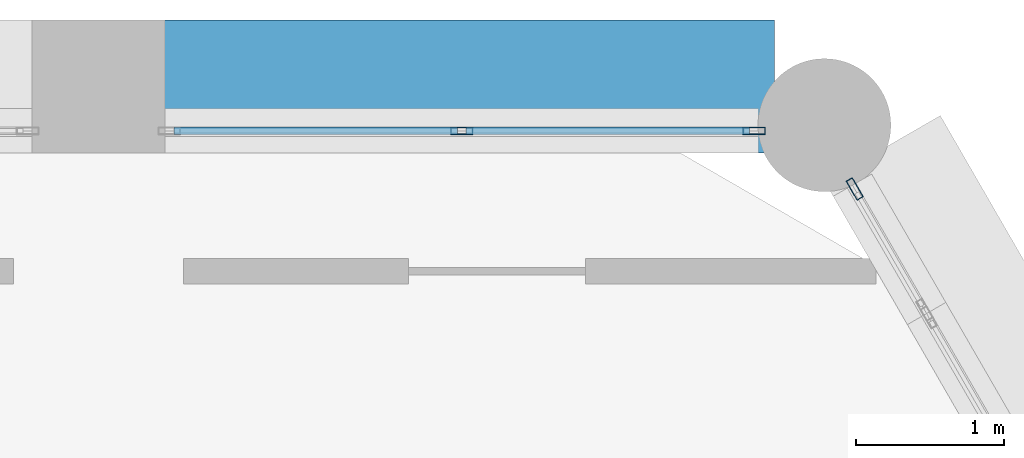
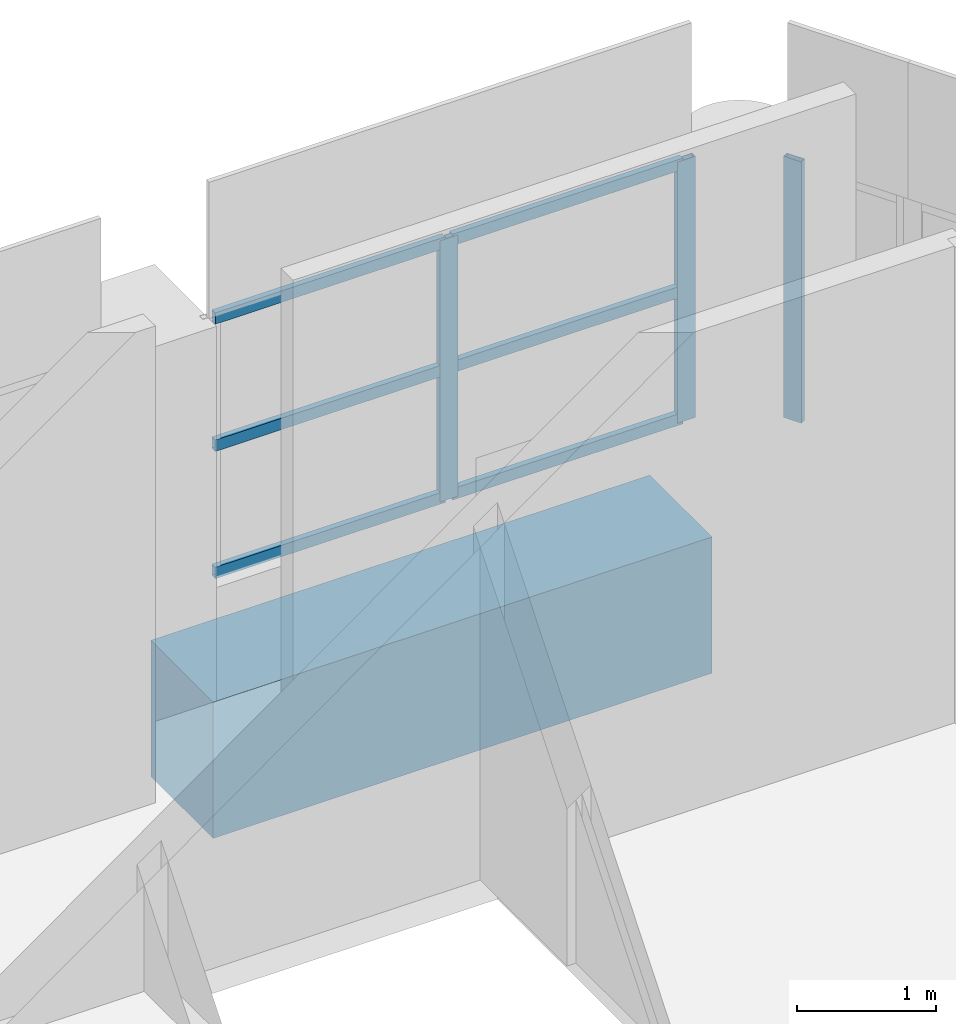
# One storey, part 9 of 16: 9 members, 1 beam, 2 elements without a shape of their own.
"""IFC4 building model written with IfcOpenShell, lengths in metres."""

from ifc_helpers import new_model, si_unit, direction, frame, origin, origin_2d, place, context, subcontext, project, spatial, rectangle, hollow_rectangle, extrude, material, material_profile, profile_set, type_object, element, aggregate, save


model = new_model("IFC4")

# Units and contexts
model_context = context("Model", 3, precision=1e-05, world=origin(), true_north=direction((0.0, 1.0)))
body_context = subcontext(model_context, "Body", "Model", "MODEL_VIEW")
ifc_project = project(units=[si_unit("LENGTHUNIT", "METRE"), si_unit("AREAUNIT", "SQUARE_METRE"), si_unit("VOLUMEUNIT", "CUBIC_METRE"), si_unit("PLANEANGLEUNIT", "RADIAN"), si_unit("MASSUNIT", "GRAM", prefix="KILO")], contexts=[model_context])

# Site, building, storey
site_placement = place(None, origin())
site = spatial("IfcSite", under=ifc_project, at=site_placement, CompositionType="ELEMENT")
building_placement = place(site_placement, origin())
building = spatial("IfcBuilding", under=site, at=building_placement, Name="Ostrander Bayou Hotel Tower", CompositionType="ELEMENT")
storey_placement = place(building_placement, frame((0.0, 0.0, 288.5)))
storey = spatial("IfcBuildingStorey", under=building, at=storey_placement, Name="L71", CompositionType="ELEMENT", Elevation=288.5)

# Curtain wall, members
ifc_material_1 = material(Name="Aluminium and clear glass", Category="aluminium")
curtain_wall_type = type_object("IfcCurtainWallType", Name="CW-CROWN glazed wall", PredefinedType="NOTDEFINED", material=ifc_material_1)
curtain_wall_1_placement = place(storey_placement, origin())
curtain_wall_1 = element("IfcCurtainWall", 1, at=curtain_wall_1_placement, inside=storey, type_object=curtain_wall_type, Name="CW-CROWN L71:N-1", PredefinedType="NOTDEFINED")
ifc_material_2 = material(Name="Aluminium", Category="aluminium")
ifc_material_profile_1 = material_profile(ifc_material_2, hollow_rectangle(XDim=0.050048828125, YDim=0.14990234375, WallThickness=0.00390625, at=origin_2d()))
ifc_profile_set_1 = profile_set([ifc_material_profile_1], Name="Aluminium")
member_type_1 = type_object("IfcMemberType", Name="CW-CR mullion 50 x 150 mm", PredefinedType="MULLION", material=ifc_profile_set_1)
member_1_placement = place(storey_placement, frame((7.765869140625, 16.550048828125, 1.0), z_axis=(0.0, 0.0, 1.0), x_axis=(0.0, -1.0, 0.0)))
member_1 = element("IfcMember", 2, at=member_1_placement, type_object=member_type_1, Name="CW-CROWN mullion 1", PredefinedType="MULLION", context=body_context, shape_type="SweptSolid", body=[
    extrude(hollow_rectangle(XDim=0.050048828125, YDim=0.14990234375, WallThickness=0.00390625, at=origin_2d()), origin(), (0.0, 0.0, 1.0), 2.300048828125),
])
member_2_placement = place(storey_placement, frame((5.78759765625, 16.550048828125, 1.0), z_axis=(0.0, 0.0, 1.0), x_axis=(0.0, -1.0, 0.0)))
member_2 = element("IfcMember", 3, at=member_2_placement, type_object=member_type_1, Name="CW-CROWN mullion 2", PredefinedType="MULLION", context=body_context, shape_type="SweptSolid", body=[
    extrude(hollow_rectangle(XDim=0.050048828125, YDim=0.14990234375, WallThickness=0.00390625, at=origin_2d()), origin(), (0.0, 0.0, 1.0), 2.300048828125),
])

# Curtain wall, member
curtain_wall_2_placement = place(storey_placement, origin())
curtain_wall_2 = element("IfcCurtainWall", 4, at=curtain_wall_2_placement, inside=storey, type_object=curtain_wall_type, Name="CW-CROWN L71:NE-3-6", PredefinedType="NOTDEFINED")
member_3_placement = place(storey_placement, frame((8.447021484375, 16.156494140625, 1.0), z_axis=(0.0, 0.0, 1.0), x_axis=(-0.866026229865, -0.499998569184, 0.0)))
member_3 = element("IfcMember", 5, at=member_3_placement, type_object=member_type_1, Name="CW-CROWN mullion 2", PredefinedType="MULLION", context=body_context, shape_type="SweptSolid", body=[
    extrude(hollow_rectangle(XDim=0.050048828125, YDim=0.14990234375, WallThickness=0.00390625, at=origin_2d()), origin(), (0.0, 0.0, 1.0), 2.300048828125),
])
aggregate(curtain_wall_2, [member_3])

# Member
ifc_material_3 = material(Name="Aluminium", Category="aluminium")
ifc_material_profile_2 = material_profile(ifc_material_3, hollow_rectangle(XDim=0.050048828125, YDim=0.10009765625, WallThickness=0.00390625, at=origin_2d()))
ifc_profile_set_2 = profile_set([ifc_material_profile_2], Name="Aluminium")
member_type_2 = type_object("IfcMemberType", Name="CW-CR transom 50 x 100 mm", PredefinedType="USERDEFINED", material=ifc_profile_set_2)
member_4_placement = place(storey_placement, frame((7.73583984375, 16.550048828125, 1.030029296875), z_axis=(-1.0, 0.0, 0.0), x_axis=(0.0, -1.0, 0.0)))
member_4 = element("IfcMember", 6, at=member_4_placement, type_object=member_type_2, Name="CW-CROWN transom 1.1", ObjectType="TRANSOM", PredefinedType="USERDEFINED", context=body_context, shape_type="SweptSolid", body=[
    extrude(hollow_rectangle(XDim=0.050048828125, YDim=0.10009765625, WallThickness=0.00390625, at=origin_2d()), origin(), (0.0, 0.0, 1.0), 1.918212890625),
])

member_5_placement = place(storey_placement, frame((7.73583984375, 16.550048828125, 2.14990234375), z_axis=(-1.0, 0.0, 0.0), x_axis=(0.0, -1.0, 0.0)))
member_5 = element("IfcMember", 7, at=member_5_placement, type_object=member_type_2, Name="CW-CROWN transom 1.2", ObjectType="TRANSOM", PredefinedType="USERDEFINED", context=body_context, shape_type="SweptSolid", body=[
    extrude(hollow_rectangle(XDim=0.050048828125, YDim=0.10009765625, WallThickness=0.00390625, at=origin_2d()), origin(), (0.0, 0.0, 1.0), 1.918212890625),
])

member_6_placement = place(storey_placement, frame((7.73583984375, 16.550048828125, 3.27001953125), z_axis=(-1.0, 0.0, 0.0), x_axis=(0.0, -1.0, 0.0)))
member_6 = element("IfcMember", 8, at=member_6_placement, type_object=member_type_2, Name="CW-CROWN transom 1.3", ObjectType="TRANSOM", PredefinedType="USERDEFINED", context=body_context, shape_type="SweptSolid", body=[
    extrude(hollow_rectangle(XDim=0.050048828125, YDim=0.10009765625, WallThickness=0.00390625, at=origin_2d()), origin(), (0.0, 0.0, 1.0), 1.918212890625),
])

member_7_placement = place(storey_placement, frame((5.757568359375, 16.550048828125, 1.030029296875), z_axis=(-1.0, 0.0, 0.0), x_axis=(0.0, -1.0, 0.0)))
member_7 = element("IfcMember", 9, at=member_7_placement, type_object=member_type_2, Name="CW-CROWN transom 2.1", ObjectType="TRANSOM", PredefinedType="USERDEFINED", context=body_context, shape_type="SweptSolid", body=[
    extrude(hollow_rectangle(XDim=0.050048828125, YDim=0.10009765625, WallThickness=0.00390625, at=origin_2d()), origin(), (0.0, 0.0, 1.0), 1.918212890625),
])

member_8_placement = place(storey_placement, frame((5.757568359375, 16.550048828125, 2.14990234375), z_axis=(-1.0, 0.0, 0.0), x_axis=(0.0, -1.0, 0.0)))
member_8 = element("IfcMember", 10, at=member_8_placement, type_object=member_type_2, Name="CW-CROWN transom 2.2", ObjectType="TRANSOM", PredefinedType="USERDEFINED", context=body_context, shape_type="SweptSolid", body=[
    extrude(hollow_rectangle(XDim=0.050048828125, YDim=0.10009765625, WallThickness=0.00390625, at=origin_2d()), origin(), (0.0, 0.0, 1.0), 1.918212890625),
])

member_9_placement = place(storey_placement, frame((5.757568359375, 16.550048828125, 3.27001953125), z_axis=(-1.0, 0.0, 0.0), x_axis=(0.0, -1.0, 0.0)))
member_9 = element("IfcMember", 11, at=member_9_placement, type_object=member_type_2, Name="CW-CROWN transom 2.3", ObjectType="TRANSOM", PredefinedType="USERDEFINED", context=body_context, shape_type="SweptSolid", body=[
    extrude(hollow_rectangle(XDim=0.050048828125, YDim=0.10009765625, WallThickness=0.00390625, at=origin_2d()), origin(), (0.0, 0.0, 1.0), 1.918212890625),
])

aggregate(curtain_wall_1, [member_1, member_2, member_4, member_5, member_6, member_7, member_8, member_9])

# Beam
ifc_material_4 = material(Name="Concrete f'c 60 MPa", Category="concrete")
ifc_material_profile_3 = material_profile(ifc_material_4, rectangle(XDim=0.89990234375, YDim=1.199951171875, at=origin_2d()))
ifc_profile_set_3 = profile_set([ifc_material_profile_3], Name="Concrete f'c 60 MPa")
beam_type = type_object("IfcBeamType", Name="SP4 spandrel beam 900 x 1200 mm f'c 60 MPa", PredefinedType="SPANDREL", material=ifc_profile_set_3)
beam_placement = place(storey_placement, frame((7.90576171875, 16.85009765625, -0.60009765625), z_axis=(-1.0, 0.0, 0.0), x_axis=(0.0, -1.0, 0.0)))
element("IfcBeam", 12, at=beam_placement, inside=storey, type_object=beam_type, Name="SP4 L71 N-1", PredefinedType="SPANDREL", context=body_context, shape_type="SweptSolid", body=[
    extrude(rectangle(XDim=0.89990234375, YDim=1.199951171875, at=origin_2d()), origin(), (0.0, 0.0, 1.0), 4.15625),
])

save(model, "model.ifc")
